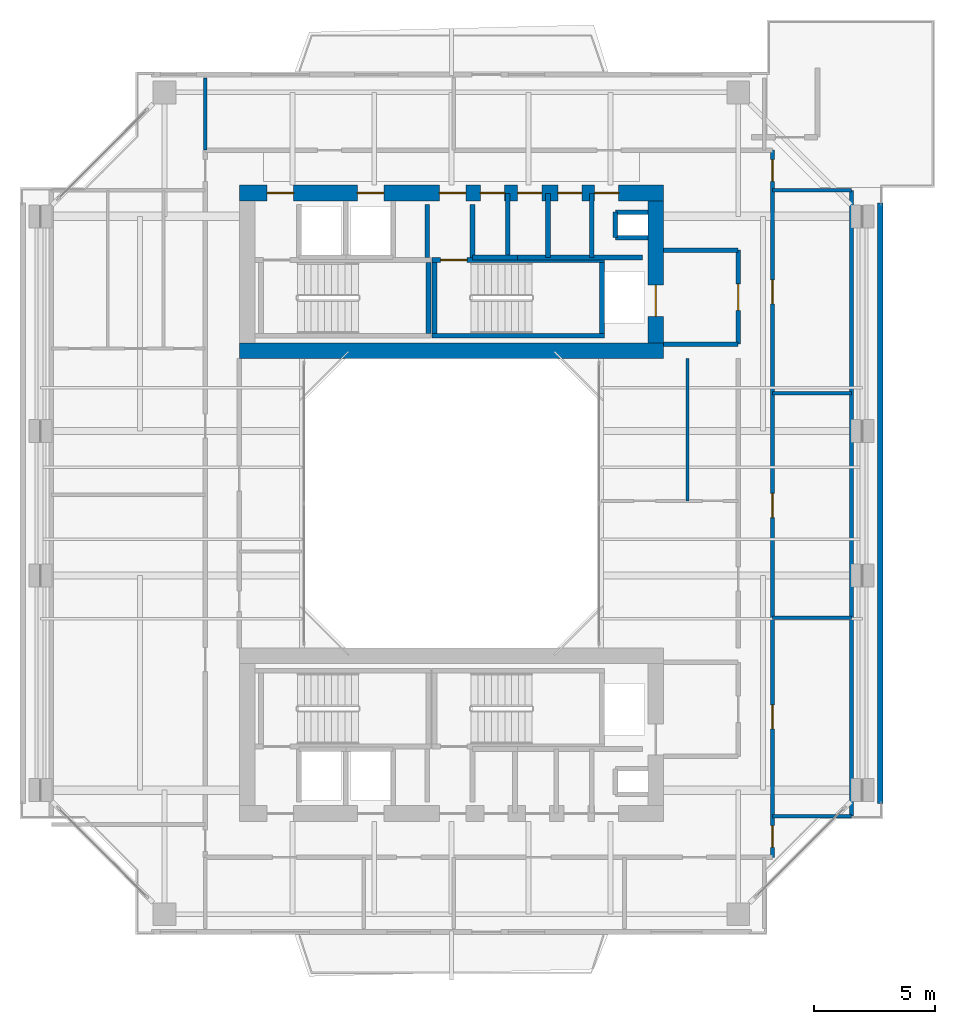
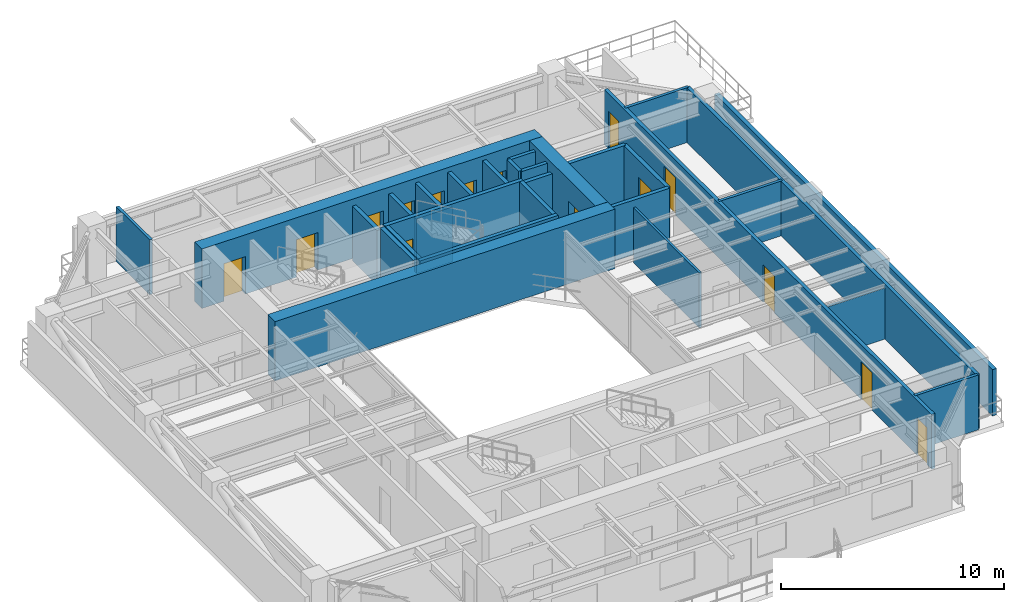
# One storey, part 10 of 14: 30 walls, 15 doors, 15 openings.
"""IFC4 building model written with IfcOpenShell, lengths in metres."""

from ifc_helpers import new_model, si_unit, direction, frame, frame_2d, origin, place, context, subcontext, project, spatial, rectangle, extrude, source, transform, mapped, material, layer, layer_set, type_object, element, fill, save


model = new_model("IFC4")

# Units and contexts
model_context = context("Model", 3, precision=1e-05, world=origin(), true_north=direction((0.0, 1.0)))
body_context = subcontext(model_context, "Body", "Model", "MODEL_VIEW")
ifc_project = project(units=[si_unit("LENGTHUNIT", "METRE"), si_unit("AREAUNIT", "SQUARE_METRE"), si_unit("VOLUMEUNIT", "CUBIC_METRE"), si_unit("PLANEANGLEUNIT", "RADIAN"), si_unit("MASSUNIT", "GRAM", prefix="KILO"), si_unit("THERMODYNAMICTEMPERATUREUNIT", "KELVIN"), si_unit("POWERUNIT", "WATT")], contexts=[model_context])

# Site, building, storey
site_placement = place(None, origin())
site = spatial("IfcSite", under=ifc_project, at=site_placement, CompositionType="ELEMENT")
building_placement = place(site_placement, origin())
building = spatial("IfcBuilding", under=site, at=building_placement, Name="Qiaomeng Ring Towers", CompositionType="ELEMENT")
storey_placement = place(building_placement, frame((0.0, 0.0, 173.0)))
storey = spatial("IfcBuildingStorey", under=building, at=storey_placement, Name="L50", CompositionType="ELEMENT", Elevation=173.0)

# Walls
ifc_material_1 = material(Name="Precast concrete C40", Category="concrete")
ifc_layer_1 = layer(ifc_material_1, 0.219970703125, Name="Precast concrete C40")
ifc_layer_set_1 = layer_set([ifc_layer_1], Name="Precast concrete C40")
wall_type_1 = type_object("IfcWallType", Name="ARC-WL-EW2", PredefinedType="STANDARD", material=ifc_layer_set_1)
wall_1_placement = place(storey_placement, frame((36.7900390625, 10.550048828125, 0.0), z_axis=(0.0, 0.0, 1.0), x_axis=(0.0, 1.0, 0.0)))
element("IfcWall", 1, at=wall_1_placement, inside=storey, type_object=wall_type_1, Name="L50 Tower 1 E Exterior Wall", PredefinedType="STANDARD", context=body_context, shape_type="SweptSolid", body=[
    extrude(rectangle(XDim=24.89990234375, YDim=0.219970703125, at=frame_2d((12.449951171875, 0.0))), origin(), (0.0, 0.0, 1.0), 2.5400390625),
])
ifc_material_2 = material(Name="Autoclaved aerated concrete block", Category="concrete")
ifc_layer_2 = layer(ifc_material_2, 0.199951171875, Name="Autoclaved aerated concrete block")
ifc_layer_set_2 = layer_set([ifc_layer_2], Name="Autoclaved aerated concrete block")
wall_type_2 = type_object("IfcWallType", Name="ARC-WL-PW1", PredefinedType="PARTITIONING", material=ifc_layer_set_2)
for number, where, z_axis, x_axis, name in (
    (2, (27.800048828125, 29.60009765625, 0.0), (0.0, 0.0, 1.0), (1.0, 0.0, 0.0), "L50 Interior Wall PW1"),
    (3, (27.800048828125, 33.5, 0.0), (0.0, 0.0, 1.0), (1.0, 0.0, 0.0), "L50 Interior Wall PW1"),
):
    element("IfcWall", number, at=place(storey_placement, frame(where, z_axis=z_axis, x_axis=x_axis)), inside=storey, type_object=wall_type_2, Name=name, PredefinedType="PARTITIONING", context=body_context, shape_type="SweptSolid", body=[
        extrude(rectangle(XDim=3.099853515625, YDim=0.199951171875, at=frame_2d((1.5498046875, 0.0))), origin(), (0.0, 0.0, 1.0), 3.0),
    ])

# Wall, opening, door
wall_2_placement = place(storey_placement, frame((30.89990234375, 29.60009765625, 0.0), z_axis=(0.0, 0.0, 1.0), x_axis=(0.0, 1.0, 0.0)))
wall_2 = element("IfcWall", 4, at=wall_2_placement, inside=storey, type_object=wall_type_2, Name="L50 Interior Wall PW1", PredefinedType="PARTITIONING", context=body_context, shape_type="SweptSolid", body=[
    extrude(rectangle(XDim=3.89990234375, YDim=0.199951171875, at=frame_2d((1.949951171875, 0.0))), origin(), (0.0, 0.0, 1.0), 3.0),
])
opening_1_placement = place(wall_2_placement, frame((1.39990234375, 0.0, 0.0)))
opening_1 = element("IfcOpeningElement", 5, at=opening_1_placement, cuts=wall_2, Name="Opening FD3", PredefinedType="OPENING", context=body_context, shape_type="SweptSolid", body=[
    extrude(rectangle(XDim=1.10009765625, YDim=2.050048828125, at=frame_2d((0.550048828125, 1.02490234375))), frame((0.0, 0.10986328125, 0.0), z_axis=(0.0, -1.0, 0.0), x_axis=(1.0, 0.0, 0.0)), (0.0, 0.0, 1.0), 0.219970703125),
])
ifc_material_3 = material(Name="Galvanised steel", Category="steel")
door_type_1 = type_object("IfcDoorType", Name="ARC-DR-FD3", OperationType="NOTDEFINED", PredefinedType="DOOR", material=ifc_material_3)
shared_shape_1 = source(origin(), body_context, "Body", "SweptSolid", [
    extrude(rectangle(XDim=1.10009765625, YDim=2.050048828125, at=frame_2d((0.550048828125, 1.02490234375))), frame((0.0, 0.02490234375, 0.0), z_axis=(0.0, -1.0, 0.0), x_axis=(1.0, 0.0, 0.0)), (0.0, 0.0, 1.0), 0.050048828125),
])
door_1_placement = place(opening_1_placement, origin())
door_1 = element("IfcDoor", 6, at=door_1_placement, inside=storey, type_object=door_type_1, Name="L50 North FF Lobby Door", OperationType="SINGLE_SWING_RIGHT", OverallHeight=2.050048828125, OverallWidth=1.10009765625, PredefinedType="DOOR", context=body_context, shape_type="MappedRepresentation", body=[
    mapped(shared_shape_1, transform((0.0, 0.0, 0.0), x_axis=(1.0, 0.0, 0.0), y_axis=(0.0, 1.0, 0.0), z_axis=(0.0, 0.0, 1.0), scale=1.0)),
])
fill(opening_1, door_1)

# Walls
for number, where, z_axis, x_axis, name in (
    (7, (18.0, 33.18994140625, 0.0), (0.0, 0.0, 1.0), (0.0, 1.0, 0.0), "L50 Interior Wall PW1"),
    (8, (19.8798828125, 33.18994140625, 0.0), (0.0, 0.0, 1.0), (0.0, 1.0, 0.0), "L50 Interior Wall PW1"),
):
    element("IfcWall", number, at=place(storey_placement, frame(where, z_axis=z_axis, x_axis=x_axis)), inside=storey, type_object=wall_type_2, Name=name, PredefinedType="PARTITIONING", context=body_context, shape_type="SweptSolid", body=[
        extrude(rectangle(XDim=2.2099609375, YDim=0.199951171875, at=frame_2d((1.10498046875, 0.0))), origin(), (0.0, 0.0, 1.0), 3.0),
    ])
wall_3_placement = place(storey_placement, frame((24.820068359375, 33.199951171875, 0.0), z_axis=(0.0, 0.0, 1.0), x_axis=(0.0, 1.0, 0.0)))
element("IfcWall", 9, at=wall_3_placement, inside=storey, type_object=wall_type_2, Name="L50 Interior Wall PW1", PredefinedType="PARTITIONING", context=body_context, shape_type="SweptSolid", body=[
    extrude(rectangle(XDim=2.650146484375, YDim=0.199951171875, at=frame_2d((1.3251953125, 0.0))), origin(), (0.0, 0.0, 1.0), 3.0),
])
wall_4_placement = place(storey_placement, frame((19.8798828125, 33.199951171875, 0.0), z_axis=(0.0, 0.0, 1.0), x_axis=(1.0, 0.0, 0.0)))
element("IfcWall", 10, at=wall_4_placement, inside=storey, type_object=wall_type_2, Name="L50 Interior Wall PW1", PredefinedType="PARTITIONING", context=body_context, shape_type="SweptSolid", body=[
    extrude(rectangle(XDim=1.8701171875, YDim=0.199951171875, at=frame_2d((0.93505859375, 0.0))), origin(), (0.0, 0.0, 1.0), 3.0),
])
for number, where, z_axis, x_axis, name in (
    (11, (21.340087890625, 33.199951171875, 0.0), (0.0, 0.0, 1.0), (0.0, 1.0, 0.0), "L50 Interior Wall PW1"),
    (12, (23.010009765625, 33.199951171875, 0.0), (0.0, 0.0, 1.0), (0.0, 1.0, 0.0), "L50 Interior Wall PW1"),
):
    element("IfcWall", number, at=place(storey_placement, frame(where, z_axis=z_axis, x_axis=x_axis)), inside=storey, type_object=wall_type_2, Name=name, PredefinedType="PARTITIONING", context=body_context, shape_type="SweptSolid", body=[
        extrude(rectangle(XDim=2.650146484375, YDim=0.199951171875, at=frame_2d((1.3251953125, 0.0))), origin(), (0.0, 0.0, 1.0), 3.0),
    ])
wall_5_placement = place(storey_placement, frame((21.75, 33.199951171875, 0.0), z_axis=(0.0, 0.0, 1.0), x_axis=(1.0, 0.0, 0.0)))
element("IfcWall", 13, at=wall_5_placement, inside=storey, type_object=wall_type_2, Name="L50 Interior Wall PW1", PredefinedType="PARTITIONING", context=body_context, shape_type="SweptSolid", body=[
    extrude(rectangle(XDim=5.169921875, YDim=0.199951171875, at=frame_2d((2.5849609375, 0.0))), origin(), (0.0, 0.0, 1.0), 3.0),
])
ifc_layer_3 = layer(ifc_material_2, 0.179931640625, Name="Autoclaved aerated concrete block")
ifc_layer_set_3 = layer_set([ifc_layer_3], Name="Autoclaved aerated concrete block")
wall_type_3 = type_object("IfcWallType", Name="ARC-WL-PW2", PredefinedType="PARTITIONING", material=ifc_layer_set_3)
wall_6_placement = place(storey_placement, frame((35.60009765625, 10.02001953125, 0.0), z_axis=(0.0, 0.0, 1.0), x_axis=(0.0, 1.0, 0.0)))
element("IfcWall", 14, at=wall_6_placement, inside=storey, type_object=wall_type_3, Name="L50 Interior Wall PW2", PredefinedType="PARTITIONING", context=body_context, shape_type="SweptSolid", body=[
    extrude(rectangle(XDim=25.9599609375, YDim=0.179931640625, at=frame_2d((12.97998046875, 0.0))), origin(), (0.0, 0.0, 1.0), 3.0),
])

# Wall, openings, doors
wall_7_placement = place(storey_placement, frame((32.320068359375, 8.31005859375, 0.0), z_axis=(0.0, 0.0, 1.0), x_axis=(0.0, 1.0, 0.0)))
wall_7 = element("IfcWall", 15, at=wall_7_placement, inside=storey, type_object=wall_type_3, Name="L50 Interior Wall PW2", PredefinedType="PARTITIONING", context=body_context, shape_type="SweptSolid", body=[
    extrude(rectangle(XDim=29.33984375, YDim=0.179931640625, at=frame_2d((14.669921875, 0.0))), origin(), (0.0, 0.0, 1.0), 3.0),
])
opening_2_placement = place(wall_7_placement, frame((28.044921875, 0.0, 0.0)))
opening_2 = element("IfcOpeningElement", 16, at=opening_2_placement, cuts=wall_7, Name="Opening ID1", PredefinedType="OPENING", context=body_context, shape_type="SweptSolid", body=[
    extrude(rectangle(XDim=0.89990234375, YDim=2.050048828125, at=frame_2d((0.449951171875, 1.02490234375))), frame((0.0, 0.099853515625, 0.0), z_axis=(0.0, -1.0, 0.0), x_axis=(1.0, 0.0, 0.0)), (0.0, 0.0, 1.0), 0.199951171875),
])
opening_3_placement = place(wall_7_placement, frame((0.4150390625, 0.0, 0.0)))
opening_3 = element("IfcOpeningElement", 17, at=opening_3_placement, cuts=wall_7, Name="Opening ID1", PredefinedType="OPENING", context=body_context, shape_type="SweptSolid", body=[
    extrude(rectangle(XDim=0.89990234375, YDim=2.050048828125, at=frame_2d((0.449951171875, 1.02490234375))), frame((0.0, 0.099853515625, 0.0), z_axis=(0.0, -1.0, 0.0), x_axis=(1.0, 0.0, 0.0)), (0.0, 0.0, 1.0), 0.199951171875),
])
opening_4_placement = place(wall_7_placement, frame((5.324951171875, 0.0, 0.0)))
opening_4 = element("IfcOpeningElement", 18, at=opening_4_placement, cuts=wall_7, Name="Opening FD4", PredefinedType="OPENING", context=body_context, shape_type="SweptSolid", body=[
    extrude(rectangle(XDim=1.0, YDim=2.050048828125, at=frame_2d((0.5, 1.02490234375))), frame((0.0, 0.099853515625, 0.0), z_axis=(0.0, -1.0, 0.0), x_axis=(1.0, 0.0, 0.0)), (0.0, 0.0, 1.0), 0.199951171875),
])
opening_5_placement = place(wall_7_placement, frame((14.094970703125, 0.0, 0.0)))
opening_5 = element("IfcOpeningElement", 19, at=opening_5_placement, cuts=wall_7, Name="Opening FD4", PredefinedType="OPENING", context=body_context, shape_type="SweptSolid", body=[
    extrude(rectangle(XDim=1.0, YDim=2.050048828125, at=frame_2d((0.5, 1.02490234375))), frame((0.0, 0.099853515625, 0.0), z_axis=(0.0, -1.0, 0.0), x_axis=(1.0, 0.0, 0.0)), (0.0, 0.0, 1.0), 0.199951171875),
])
opening_6_placement = place(wall_7_placement, frame((22.9599609375, 0.0, 0.0)))
opening_6 = element("IfcOpeningElement", 20, at=opening_6_placement, cuts=wall_7, Name="Opening FD4", PredefinedType="OPENING", context=body_context, shape_type="SweptSolid", body=[
    extrude(rectangle(XDim=1.0, YDim=2.050048828125, at=frame_2d((0.5, 1.02490234375))), frame((0.0, 0.099853515625, 0.0), z_axis=(0.0, -1.0, 0.0), x_axis=(1.0, 0.0, 0.0)), (0.0, 0.0, 1.0), 0.199951171875),
])
ifc_material_4 = material(Name="Engineered fire-rated oak timber", Category="wood")
door_type_2 = type_object("IfcDoorType", Name="ARC-DR-FD4", OperationType="NOTDEFINED", PredefinedType="DOOR", material=ifc_material_4)
shared_shape_2 = source(origin(), body_context, "Body", "SweptSolid", [
    extrude(rectangle(XDim=1.0, YDim=2.050048828125, at=frame_2d((0.5, 1.02490234375))), frame((0.0, 0.02490234375, 0.0), z_axis=(0.0, -1.0, 0.0), x_axis=(1.0, 0.0, 0.0)), (0.0, 0.0, 1.0), 0.050048828125),
])
door_2_placement = place(opening_4_placement, origin())
door_2 = element("IfcDoor", 21, at=door_2_placement, inside=storey, type_object=door_type_2, Name="L50 Door FD4", OperationType="SINGLE_SWING_LEFT", OverallHeight=2.050048828125, OverallWidth=1.0, PredefinedType="DOOR", context=body_context, shape_type="MappedRepresentation", body=[
    mapped(shared_shape_2, transform((0.0, 0.0, 0.0), x_axis=(1.0, 0.0, 0.0), y_axis=(0.0, 1.0, 0.0), z_axis=(0.0, 0.0, 1.0), scale=1.0)),
])
fill(opening_4, door_2)
door_3_placement = place(opening_5_placement, origin())
door_3 = element("IfcDoor", 22, at=door_3_placement, inside=storey, type_object=door_type_2, Name="L50 Door FD4", OperationType="SINGLE_SWING_RIGHT", OverallHeight=2.050048828125, OverallWidth=1.0, PredefinedType="DOOR", context=body_context, shape_type="MappedRepresentation", body=[
    mapped(shared_shape_2, transform((0.0, 0.0, 0.0), x_axis=(1.0, 0.0, 0.0), y_axis=(0.0, 1.0, 0.0), z_axis=(0.0, 0.0, 1.0), scale=1.0)),
])
fill(opening_5, door_3)
door_4_placement = place(opening_6_placement, origin())
door_4 = element("IfcDoor", 23, at=door_4_placement, inside=storey, type_object=door_type_2, Name="L50 Door FD4", OperationType="SINGLE_SWING_LEFT", OverallHeight=2.050048828125, OverallWidth=1.0, PredefinedType="DOOR", context=body_context, shape_type="MappedRepresentation", body=[
    mapped(shared_shape_2, transform((0.0, 0.0, 0.0), x_axis=(1.0, 0.0, 0.0), y_axis=(0.0, 1.0, 0.0), z_axis=(0.0, 0.0, 1.0), scale=1.0)),
])
fill(opening_6, door_4)
ifc_material_5 = material(Name="Engineered oak timber", Category="wood")
door_type_3 = type_object("IfcDoorType", Name="ARC-DR-ID1", OperationType="NOTDEFINED", PredefinedType="DOOR", material=ifc_material_5)
shared_shape_3 = source(origin(), body_context, "Body", "SweptSolid", [
    extrude(rectangle(XDim=0.89990234375, YDim=2.050048828125, at=frame_2d((0.449951171875, 1.02490234375))), frame((0.0, 0.02490234375, 0.0), z_axis=(0.0, -1.0, 0.0), x_axis=(1.0, 0.0, 0.0)), (0.0, 0.0, 1.0), 0.050048828125),
])
door_5_placement = place(opening_2_placement, origin())
door_5 = element("IfcDoor", 24, at=door_5_placement, inside=storey, type_object=door_type_3, Name="L50 Door ID1", OperationType="SINGLE_SWING_LEFT", OverallHeight=2.050048828125, OverallWidth=0.89990234375, PredefinedType="DOOR", context=body_context, shape_type="MappedRepresentation", body=[
    mapped(shared_shape_3, transform((0.0, 0.0, 0.0), x_axis=(1.0, 0.0, 0.0), y_axis=(0.0, 1.0, 0.0), z_axis=(0.0, 0.0, 1.0), scale=1.0)),
])
fill(opening_2, door_5)
door_6_placement = place(opening_3_placement, origin())
door_6 = element("IfcDoor", 25, at=door_6_placement, inside=storey, type_object=door_type_3, Name="L50 Door ID1", OperationType="SINGLE_SWING_RIGHT", OverallHeight=2.050048828125, OverallWidth=0.89990234375, PredefinedType="DOOR", context=body_context, shape_type="MappedRepresentation", body=[
    mapped(shared_shape_3, transform((0.0, 0.0, 0.0), x_axis=(1.0, 0.0, 0.0), y_axis=(0.0, 1.0, 0.0), z_axis=(0.0, 0.0, 1.0), scale=1.0)),
])
fill(opening_3, door_6)

# Walls
ifc_material_6 = material(Name="Gypsum fireboard steel-stud partition", Category="steel")
ifc_layer_4 = layer(ifc_material_6, 0.14990234375, Name="Gypsum fireboard steel-stud partition")
ifc_layer_set_4 = layer_set([ifc_layer_4], Name="Gypsum fireboard steel-stud partition")
wall_type_4 = type_object("IfcWallType", Name="ARC-WL-PW3", PredefinedType="PARTITIONING", material=ifc_layer_set_4)
wall_8_placement = place(storey_placement, frame((8.780029296875, 37.64990234375, 0.0), z_axis=(0.0, 0.0, 1.0), x_axis=(0.0, 1.0, 0.0)))
element("IfcWall", 26, at=wall_8_placement, inside=storey, type_object=wall_type_4, Name="L50 Interior Wall PW3", PredefinedType="PARTITIONING", context=body_context, shape_type="SweptSolid", body=[
    extrude(rectangle(XDim=3.0, YDim=0.14990234375, at=frame_2d((1.5, 0.0))), origin(), (0.0, 0.0, 1.0), 3.0),
])
for number, where, z_axis, x_axis, name in (
    (27, (32.320068359375, 35.97998046875, 0.0), (0.0, 0.0, 1.0), (1.0, 0.0, 0.0), "L50 Interior Wall PW3"),
    (28, (32.320068359375, 10.02001953125, 0.0), (0.0, 0.0, 1.0), (1.0, 0.0, 0.0), "L50 Interior Wall PW3"),
):
    element("IfcWall", number, at=place(storey_placement, frame(where, z_axis=z_axis, x_axis=x_axis)), inside=storey, type_object=wall_type_4, Name=name, PredefinedType="PARTITIONING", context=body_context, shape_type="SweptSolid", body=[
        extrude(rectangle(XDim=3.280029296875, YDim=0.14990234375, at=frame_2d((1.64013671875, 0.0))), origin(), (0.0, 0.0, 1.0), 3.0),
    ])
wall_9_placement = place(storey_placement, frame((32.320068359375, 18.25, 0.0), z_axis=(0.0, 0.0, 1.0), x_axis=(1.0, 0.0, 0.0)))
element("IfcWall", 29, at=wall_9_placement, inside=storey, type_object=wall_type_4, Name="L50 Interior Wall PW3", PredefinedType="PARTITIONING", context=body_context, shape_type="SweptSolid", body=[
    extrude(rectangle(XDim=3.280029296875, YDim=0.14990234375, at=frame_2d((1.64013671875, 0.0))), origin(), (0.0, 0.0, 1.0), 2.794921875),
])
wall_10_placement = place(storey_placement, frame((32.320068359375, 27.56005859375, 0.0), z_axis=(0.0, 0.0, 1.0), x_axis=(1.0, 0.0, 0.0)))
element("IfcWall", 30, at=wall_10_placement, inside=storey, type_object=wall_type_4, Name="L50 Interior Wall PW3", PredefinedType="PARTITIONING", context=body_context, shape_type="SweptSolid", body=[
    extrude(rectangle(XDim=3.280029296875, YDim=0.14990234375, at=frame_2d((1.64013671875, 0.0))), origin(), (0.0, 0.0, 1.0), 3.0),
])
ifc_material_7 = material(Name="Moisture-resistant gypsum steel-stud partition", Category="steel")
ifc_layer_5 = layer(ifc_material_7, 0.1201171875, Name="Moisture-resistant gypsum steel-stud partition")
ifc_layer_set_5 = layer_set([ifc_layer_5], Name="Moisture-resistant gypsum steel-stud partition")
wall_type_5 = type_object("IfcWallType", Name="ARC-WL-PW4", PredefinedType="PLUMBINGWALL", material=ifc_layer_set_5)
wall_11_placement = place(storey_placement, frame((28.800048828125, 23.10009765625, 0.0), z_axis=(0.0, 0.0, 1.0), x_axis=(0.0, 1.0, 0.0)))
element("IfcWall", 31, at=wall_11_placement, inside=storey, type_object=wall_type_5, Name="L50 Interior Wall PW4", PredefinedType="PLUMBINGWALL", context=body_context, shape_type="SweptSolid", body=[
    extrude(rectangle(XDim=5.89990234375, YDim=0.1201171875, at=frame_2d((2.949951171875, 0.0))), origin(), (0.0, 0.0, 1.0), 3.0),
])
ifc_material_8 = material(Name="Concrete C40", Category="concrete")
ifc_layer_6 = layer(ifc_material_8, 0.199951171875, Name="Concrete C40")
ifc_layer_set_6 = layer_set([ifc_layer_6], Name="Concrete C40")
wall_type_6 = type_object("IfcWallType", Name="STR-WL-STSHAFT", PredefinedType="SHEAR", material=ifc_layer_set_6)
wall_12_placement = place(storey_placement, frame((25.800048828125, 34.02001953125, 0.0), z_axis=(0.0, 0.0, 1.0), x_axis=(0.0, 1.0, 0.0)))
element("IfcWall", 32, at=wall_12_placement, inside=storey, type_object=wall_type_6, Name="L50 Riser RSR1 West Shaft Wall N", PredefinedType="SHEAR", context=body_context, shape_type="SweptSolid", body=[
    extrude(rectangle(XDim=1.06005859375, YDim=0.179931640625, at=frame_2d((0.530029296875, 0.0))), origin(), (0.0, 0.0, 1.0), 3.0),
])
for number, where, z_axis, x_axis, name in (
    (33, (25.800048828125, 35.080078125, 0.0), (0.0, 0.0, 1.0), (1.0, 0.0, 0.0), "L50 Riser RSR1 North Shaft Wall N"),
    (34, (25.800048828125, 34.02001953125, 0.0), (0.0, 0.0, 1.0), (1.0, 0.0, 0.0), "L50 Riser RSR1 South Shaft Wall N"),
):
    element("IfcWall", number, at=place(storey_placement, frame(where, z_axis=z_axis, x_axis=x_axis)), inside=storey, type_object=wall_type_6, Name=name, PredefinedType="SHEAR", context=body_context, shape_type="SweptSolid", body=[
        extrude(rectangle(XDim=1.349853515625, YDim=0.179931640625, at=frame_2d((0.6748046875, 0.0))), origin(), (0.0, 0.0, 1.0), 3.0),
    ])
wall_13_placement = place(storey_placement, frame((18.050048828125, 30.050048828125, 0.0), z_axis=(0.0, 0.0, 1.0), x_axis=(0.0, 1.0, 0.0)))
element("IfcWall", 35, at=wall_13_placement, inside=storey, type_object=wall_type_6, Name="L50 Stair ST1 East Shaft Shear Wall", PredefinedType="SHEAR", context=body_context, shape_type="SweptSolid", body=[
    extrude(rectangle(XDim=2.93994140625, YDim=0.199951171875, at=frame_2d((1.469970703125, 0.0))), origin(), (0.0, 0.0, 1.0), 3.25),
])
wall_14_placement = place(storey_placement, frame((18.199951171875, 29.949951171875, 0.0), z_axis=(0.0, 0.0, 1.0), x_axis=(1.0, 0.0, 0.0)))
element("IfcWall", 36, at=wall_14_placement, inside=storey, type_object=wall_type_6, Name="L50 Stair ST2 South Shaft Shear Wall", PredefinedType="SHEAR", context=body_context, shape_type="SweptSolid", body=[
    extrude(rectangle(XDim=7.150146484375, YDim=0.199951171875, at=frame_2d((3.5751953125, 0.0))), origin(), (0.0, 0.0, 1.0), 3.25),
])

# Wall, opening, door
wall_15_placement = place(storey_placement, frame((18.199951171875, 33.090087890625, 0.0), z_axis=(0.0, 0.0, 1.0), x_axis=(1.0, 0.0, 0.0)))
wall_15 = element("IfcWall", 37, at=wall_15_placement, inside=storey, type_object=wall_type_6, Name="L50 Stair ST2 North Shaft Shear Wall", PredefinedType="SHEAR", context=body_context, shape_type="SweptSolid", body=[
    extrude(rectangle(XDim=7.150146484375, YDim=0.199951171875, at=frame_2d((3.5751953125, 0.0))), origin(), (0.0, 0.0, 1.0), 3.25),
])
opening_7_placement = place(wall_15_placement, frame((0.35009765625, 0.0, 0.0)))
opening_7 = element("IfcOpeningElement", 38, at=opening_7_placement, cuts=wall_15, Name="Opening FD3", PredefinedType="OPENING", context=body_context, shape_type="SweptSolid", body=[
    extrude(rectangle(XDim=1.10009765625, YDim=2.050048828125, at=frame_2d((0.550048828125, 1.02490234375))), frame((0.0, 0.10986328125, 0.0), z_axis=(0.0, -1.0, 0.0), x_axis=(1.0, 0.0, 0.0)), (0.0, 0.0, 1.0), 0.219970703125),
])
door_7_placement = place(opening_7_placement, origin())
door_7 = element("IfcDoor", 39, at=door_7_placement, inside=storey, type_object=door_type_1, Name="L50 Stair ST2 Exit Door", OperationType="SINGLE_SWING_LEFT", OverallHeight=2.050048828125, OverallWidth=1.10009765625, PredefinedType="DOOR", context=body_context, shape_type="MappedRepresentation", body=[
    mapped(shared_shape_1, transform((0.0, 0.0, 0.0), x_axis=(1.0, 0.0, 0.0), y_axis=(0.0, 1.0, 0.0), z_axis=(0.0, 0.0, 1.0), scale=1.0)),
])
fill(opening_7, door_7)

# Walls
for number, where, z_axis, x_axis, name in (
    (40, (18.300048828125, 30.050048828125, 0.0), (0.0, 0.0, 1.0), (0.0, 1.0, 0.0), "L50 Stair ST2 West Shaft Shear Wall"),
    (41, (25.25, 30.050048828125, 0.0), (0.0, 0.0, 1.0), (0.0, 1.0, 0.0), "L50 Stair ST2 East Shaft Shear Wall"),
):
    element("IfcWall", number, at=place(storey_placement, frame(where, z_axis=z_axis, x_axis=x_axis)), inside=storey, type_object=wall_type_6, Name=name, PredefinedType="SHEAR", context=body_context, shape_type="SweptSolid", body=[
        extrude(rectangle(XDim=2.93994140625, YDim=0.199951171875, at=frame_2d((1.469970703125, 0.0))), origin(), (0.0, 0.0, 1.0), 3.25),
    ])
ifc_material_9 = material(Name="Concrete C50", Category="concrete")
ifc_layer_7 = layer(ifc_material_9, 0.64990234375, Name="Concrete C50")
ifc_layer_set_7 = layer_set([ifc_layer_7], Name="Concrete C50")
wall_type_7 = type_object("IfcWallType", Name="STR-WL-SW2B", PredefinedType="SHEAR", material=ifc_layer_set_7)
wall_16_placement = place(storey_placement, frame((10.199951171875, 29.324951171875, 0.0), z_axis=(0.0, 0.0, 1.0), x_axis=(1.0, 0.0, 0.0)))
element("IfcWall", 42, at=wall_16_placement, inside=storey, type_object=wall_type_7, Name="L50 T1NC south core shear wall", PredefinedType="SHEAR", context=body_context, shape_type="SweptSolid", body=[
    extrude(rectangle(XDim=17.60009765625, YDim=0.64990234375, at=frame_2d((8.800048828125, 0.0))), origin(), (0.0, 0.0, 1.0), 3.25),
])

# Wall, openings, doors
wall_17_placement = place(storey_placement, frame((10.199951171875, 35.875, 0.0), z_axis=(0.0, 0.0, 1.0), x_axis=(1.0, 0.0, 0.0)))
wall_17 = element("IfcWall", 43, at=wall_17_placement, inside=storey, type_object=wall_type_7, Name="L50 T1NC north core shear wall", PredefinedType="SHEAR", context=body_context, shape_type="SweptSolid", body=[
    extrude(rectangle(XDim=17.60009765625, YDim=0.64990234375, at=frame_2d((8.800048828125, 0.0))), origin(), (0.0, 0.0, 1.0), 3.25),
])
opening_8_placement = place(wall_17_placement, frame((1.14990234375, 0.0, 0.0)))
opening_8 = element("IfcOpeningElement", 44, at=opening_8_placement, cuts=wall_17, Name="Opening FD3", PredefinedType="OPENING", context=body_context, shape_type="SweptSolid", body=[
    extrude(rectangle(XDim=1.10009765625, YDim=2.050048828125, at=frame_2d((0.550048828125, 1.02490234375))), frame((0.0, 0.3349609375, 0.0), z_axis=(0.0, -1.0, 0.0), x_axis=(1.0, 0.0, 0.0)), (0.0, 0.0, 1.0), 0.669921875),
])
opening_9_placement = place(wall_17_placement, frame((8.300048828125, 0.0, 0.0)))
opening_9 = element("IfcOpeningElement", 45, at=opening_9_placement, cuts=wall_17, Name="Opening FD3", PredefinedType="OPENING", context=body_context, shape_type="SweptSolid", body=[
    extrude(rectangle(XDim=1.10009765625, YDim=2.050048828125, at=frame_2d((0.550048828125, 1.02490234375))), frame((0.0, 0.3349609375, 0.0), z_axis=(0.0, -1.0, 0.0), x_axis=(1.0, 0.0, 0.0)), (0.0, 0.0, 1.0), 0.669921875),
])
opening_10_placement = place(wall_17_placement, frame((4.89990234375, 0.0, 0.0)))
opening_10 = element("IfcOpeningElement", 46, at=opening_10_placement, cuts=wall_17, Name="Opening LD1", PredefinedType="OPENING", context=body_context, shape_type="SweptSolid", body=[
    extrude(rectangle(XDim=1.10009765625, YDim=2.050048828125, at=frame_2d((0.550048828125, 1.02490234375))), frame((0.0, 0.3349609375, 0.0), z_axis=(0.0, -1.0, 0.0), x_axis=(1.0, 0.0, 0.0)), (0.0, 0.0, 1.0), 0.669921875),
])
opening_11_placement = place(wall_17_placement, frame((14.739990234375, 0.0, 0.0)))
opening_11 = element("IfcOpeningElement", 47, at=opening_11_placement, cuts=wall_17, Name="Opening FD1", PredefinedType="OPENING", context=body_context, shape_type="SweptSolid", body=[
    extrude(rectangle(XDim=1.0, YDim=2.050048828125, at=frame_2d((0.5, 1.02490234375))), frame((0.0, 0.3349609375, 0.0), z_axis=(0.0, -1.0, 0.0), x_axis=(1.0, 0.0, 0.0)), (0.0, 0.0, 1.0), 0.669921875),
])
opening_12_placement = place(wall_17_placement, frame((10.0048828125, 0.0, 0.0)))
opening_12 = element("IfcOpeningElement", 48, at=opening_12_placement, cuts=wall_17, Name="Opening FD1", PredefinedType="OPENING", context=body_context, shape_type="SweptSolid", body=[
    extrude(rectangle(XDim=1.0, YDim=2.050048828125, at=frame_2d((0.5, 1.02490234375))), frame((0.0, 0.3349609375, 0.0), z_axis=(0.0, -1.0, 0.0), x_axis=(1.0, 0.0, 0.0)), (0.0, 0.0, 1.0), 0.669921875),
])
opening_13_placement = place(wall_17_placement, frame((11.550048828125, 0.0, 0.0)))
opening_13 = element("IfcOpeningElement", 49, at=opening_13_placement, cuts=wall_17, Name="Opening FD1", PredefinedType="OPENING", context=body_context, shape_type="SweptSolid", body=[
    extrude(rectangle(XDim=1.0, YDim=2.050048828125, at=frame_2d((0.5, 1.02490234375))), frame((0.0, 0.3349609375, 0.0), z_axis=(0.0, -1.0, 0.0), x_axis=(1.0, 0.0, 0.0)), (0.0, 0.0, 1.0), 0.669921875),
])
opening_14_placement = place(wall_17_placement, frame((13.215087890625, 0.0, 0.0)))
opening_14 = element("IfcOpeningElement", 50, at=opening_14_placement, cuts=wall_17, Name="Opening FD1", PredefinedType="OPENING", context=body_context, shape_type="SweptSolid", body=[
    extrude(rectangle(XDim=1.0, YDim=2.050048828125, at=frame_2d((0.5, 1.02490234375))), frame((0.0, 0.3349609375, 0.0), z_axis=(0.0, -1.0, 0.0), x_axis=(1.0, 0.0, 0.0)), (0.0, 0.0, 1.0), 0.669921875),
])
door_8_placement = place(opening_8_placement, origin())
door_8 = element("IfcDoor", 51, at=door_8_placement, inside=storey, type_object=door_type_1, Name="L50 Stair ST1 Lobby Door", OperationType="SINGLE_SWING_RIGHT", OverallHeight=2.050048828125, OverallWidth=1.10009765625, PredefinedType="DOOR", context=body_context, shape_type="MappedRepresentation", body=[
    mapped(shared_shape_1, transform((0.0, 0.0, 0.0), x_axis=(1.0, 0.0, 0.0), y_axis=(0.0, 1.0, 0.0), z_axis=(0.0, 0.0, 1.0), scale=1.0)),
])
fill(opening_8, door_8)
door_9_placement = place(opening_9_placement, origin())
door_9 = element("IfcDoor", 52, at=door_9_placement, inside=storey, type_object=door_type_1, Name="L50 Stair ST2 Lobby Door", OperationType="SINGLE_SWING_RIGHT", OverallHeight=2.050048828125, OverallWidth=1.10009765625, PredefinedType="DOOR", context=body_context, shape_type="MappedRepresentation", body=[
    mapped(shared_shape_1, transform((0.0, 0.0, 0.0), x_axis=(1.0, 0.0, 0.0), y_axis=(0.0, 1.0, 0.0), z_axis=(0.0, 0.0, 1.0), scale=1.0)),
])
fill(opening_9, door_9)
ifc_material_10 = material(Name="Stainless steel 316", Category="steel")
door_type_4 = type_object("IfcDoorType", Name="ARC-DR-LD1", OperationType="NOTDEFINED", PredefinedType="DOOR", material=ifc_material_10)
door_10_placement = place(opening_10_placement, origin())
door_10 = element("IfcDoor", 53, at=door_10_placement, inside=storey, type_object=door_type_4, Name="L50 Mid-Zone Lift LP3 Landing Door", OperationType="SLIDING_TO_LEFT", OverallHeight=2.050048828125, OverallWidth=1.10009765625, PredefinedType="DOOR", context=body_context, shape_type="MappedRepresentation", body=[
    mapped(shared_shape_1, transform((0.0, 0.0, 0.0), x_axis=(1.0, 0.0, 0.0), y_axis=(0.0, 1.0, 0.0), z_axis=(0.0, 0.0, 1.0), scale=1.0)),
])
fill(opening_10, door_10)
door_type_5 = type_object("IfcDoorType", Name="ARC-DR-FD1", OperationType="NOTDEFINED", PredefinedType="DOOR", material=ifc_material_3)
door_11_placement = place(opening_11_placement, origin())
door_11 = element("IfcDoor", 54, at=door_11_placement, inside=storey, type_object=door_type_5, Name="L50 North Electrical Riser Door", OperationType="SINGLE_SWING_RIGHT", OverallHeight=2.050048828125, OverallWidth=1.0, PredefinedType="DOOR", context=body_context, shape_type="MappedRepresentation", body=[
    mapped(shared_shape_2, transform((0.0, 0.0, 0.0), x_axis=(1.0, 0.0, 0.0), y_axis=(0.0, 1.0, 0.0), z_axis=(0.0, 0.0, 1.0), scale=1.0)),
])
fill(opening_11, door_11)
door_12_placement = place(opening_12_placement, origin())
door_12 = element("IfcDoor", 55, at=door_12_placement, inside=storey, type_object=door_type_5, Name="L50 North Cleaners Cupboard Door", OperationType="SINGLE_SWING_RIGHT", OverallHeight=2.050048828125, OverallWidth=1.0, PredefinedType="DOOR", context=body_context, shape_type="MappedRepresentation", body=[
    mapped(shared_shape_2, transform((0.0, 0.0, 0.0), x_axis=(1.0, 0.0, 0.0), y_axis=(0.0, 1.0, 0.0), z_axis=(0.0, 0.0, 1.0), scale=1.0)),
])
fill(opening_12, door_12)
door_13_placement = place(opening_13_placement, origin())
door_13 = element("IfcDoor", 56, at=door_13_placement, inside=storey, type_object=door_type_5, Name="L50 North Staff Tea Pantry Door", OperationType="SINGLE_SWING_LEFT", OverallHeight=2.050048828125, OverallWidth=1.0, PredefinedType="DOOR", context=body_context, shape_type="MappedRepresentation", body=[
    mapped(shared_shape_2, transform((0.0, 0.0, 0.0), x_axis=(1.0, 0.0, 0.0), y_axis=(0.0, 1.0, 0.0), z_axis=(0.0, 0.0, 1.0), scale=1.0)),
])
fill(opening_13, door_13)
door_14_placement = place(opening_14_placement, origin())
door_14 = element("IfcDoor", 57, at=door_14_placement, inside=storey, type_object=door_type_5, Name="L50 North Records Study Door", OperationType="SINGLE_SWING_RIGHT", OverallHeight=2.050048828125, OverallWidth=1.0, PredefinedType="DOOR", context=body_context, shape_type="MappedRepresentation", body=[
    mapped(shared_shape_2, transform((0.0, 0.0, 0.0), x_axis=(1.0, 0.0, 0.0), y_axis=(0.0, 1.0, 0.0), z_axis=(0.0, 0.0, 1.0), scale=1.0)),
])
fill(opening_14, door_14)

# Wall, opening, door
wall_18_placement = place(storey_placement, frame((27.47509765625, 29.64990234375, 0.0), z_axis=(0.0, 0.0, 1.0), x_axis=(0.0, 1.0, 0.0)))
wall_18 = element("IfcWall", 58, at=wall_18_placement, inside=storey, type_object=wall_type_7, Name="L50 T1NC east core shear wall", PredefinedType="SHEAR", context=body_context, shape_type="SweptSolid", body=[
    extrude(rectangle(XDim=5.900146484375, YDim=0.64990234375, at=frame_2d((2.9501953125, 0.0))), origin(), (0.0, 0.0, 1.0), 3.25),
])
opening_15_placement = place(wall_18_placement, frame((1.10009765625, 0.0, 0.0)))
opening_15 = element("IfcOpeningElement", 59, at=opening_15_placement, cuts=wall_18, Name="Opening LD2", PredefinedType="OPENING", context=body_context, shape_type="SweptSolid", body=[
    extrude(rectangle(XDim=1.300048828125, YDim=2.050048828125, at=frame_2d((0.64990234375, 1.02490234375))), frame((0.0, 0.3349609375, 0.0), z_axis=(0.0, -1.0, 0.0), x_axis=(1.0, 0.0, 0.0)), (0.0, 0.0, 1.0), 0.669921875),
])
door_type_6 = type_object("IfcDoorType", Name="ARC-DR-LD2", OperationType="NOTDEFINED", PredefinedType="DOOR", material=ifc_material_10)
shared_shape_4 = source(origin(), body_context, "Body", "SweptSolid", [
    extrude(rectangle(XDim=1.300048828125, YDim=2.050048828125, at=frame_2d((0.64990234375, 1.02490234375))), frame((0.0, 0.02490234375, 0.0), z_axis=(0.0, -1.0, 0.0), x_axis=(1.0, 0.0, 0.0)), (0.0, 0.0, 1.0), 0.050048828125),
])
door_15_placement = place(opening_15_placement, origin())
door_15 = element("IfcDoor", 60, at=door_15_placement, inside=storey, type_object=door_type_6, Name="L50 Firefighting Lift FL1 Landing Door", OperationType="SLIDING_TO_LEFT", OverallHeight=2.050048828125, OverallWidth=1.300048828125, PredefinedType="DOOR", context=body_context, shape_type="MappedRepresentation", body=[
    mapped(shared_shape_4, transform((0.0, 0.0, 0.0), x_axis=(1.0, 0.0, 0.0), y_axis=(0.0, 1.0, 0.0), z_axis=(0.0, 0.0, 1.0), scale=1.0)),
])
fill(opening_15, door_15)

save(model, "model.ifc")
